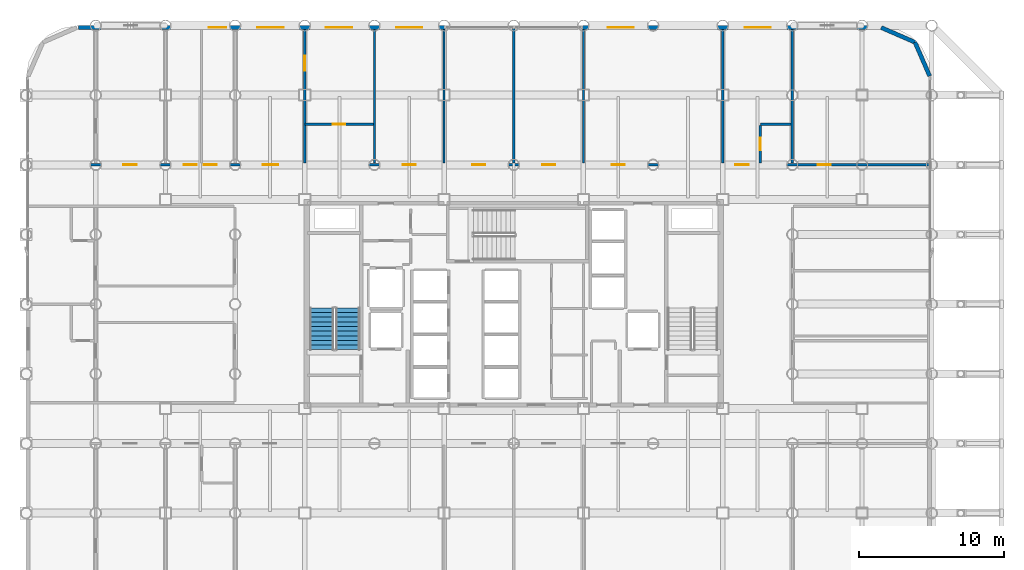
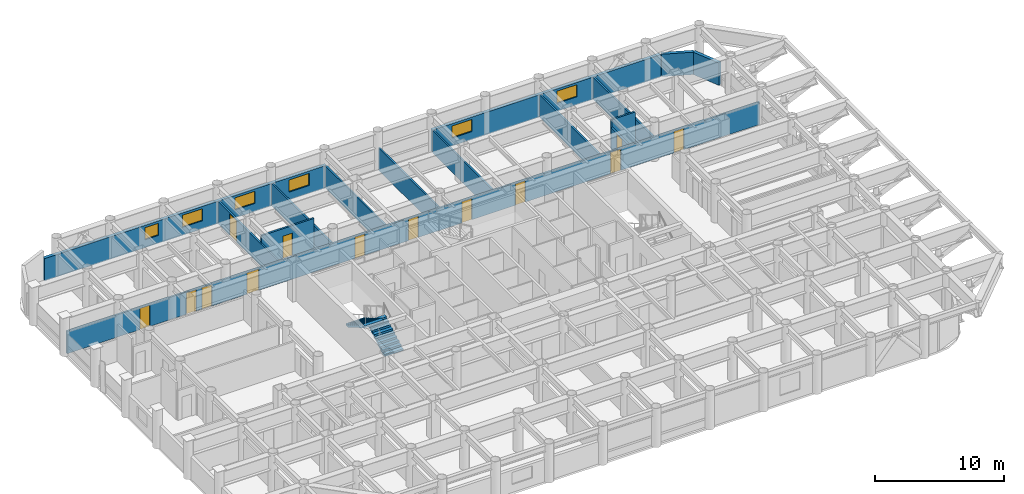
# One storey, part 24 of 26: 15 walls, 13 doors, 6 windows, 2 stair flights, 19 openings, 1 element without a shape of its own.
"""IFC4 building model written with IfcOpenShell, lengths in metres."""

from ifc_helpers import new_model, si_unit, direction, frame, frame_2d, origin, place, context, subcontext, project, spatial, polyline, rectangle, outline, extrude, material, layer, layer_set, type_object, element, fill, aggregate, save


model = new_model("IFC4")

# Units and contexts
model_context = context("Model", 3, precision=1e-05, world=origin(), true_north=direction((0.0, 1.0)))
body_context = subcontext(model_context, "Body", "Model", "MODEL_VIEW")
ifc_project = project(units=[si_unit("LENGTHUNIT", "METRE"), si_unit("AREAUNIT", "SQUARE_METRE"), si_unit("VOLUMEUNIT", "CUBIC_METRE"), si_unit("PLANEANGLEUNIT", "RADIAN"), si_unit("MASSUNIT", "GRAM", prefix="KILO")], contexts=[model_context])

# Site, building, storey
site_placement = place(None, origin())
site = spatial("IfcSite", under=ifc_project, at=site_placement, CompositionType="ELEMENT")
building_placement = place(site_placement, origin())
building = spatial("IfcBuilding", under=site, at=building_placement, Name="Kallvorn Hotel Tower", CompositionType="ELEMENT")
storey_placement = place(building_placement, frame((0.0, 0.0, 55.89990234375)))
storey = spatial("IfcBuildingStorey", under=building, at=storey_placement, Name="L12", CompositionType="ELEMENT", Elevation=55.89990234375)

# Wall, openings, doors
ifc_material_1 = material(Name="Fire-rated double-layer acoustic gypsum drywall EI 60")
ifc_layer_1 = layer(ifc_material_1, 0.159912109375)
ifc_layer_set_1 = layer_set([ifc_layer_1], Name="WL_DEMISE_160")
wall_type_1 = type_object("IfcWallType", Name="WL_DEMISE_160", PredefinedType="PARTITIONING", material=ifc_layer_set_1)
wall_1_placement = place(storey_placement, frame((-33.429931640625, 9.60009765625, 0.0), z_axis=(0.0, 0.0, 1.0), x_axis=(1.0, 0.0, 0.0)))
wall_1 = element("IfcWall", 1, at=wall_1_placement, inside=storey, type_object=wall_type_1, Name="L12 Suite 1204 Junior Living Salon Partition", PredefinedType="PARTITIONING", context=body_context, shape_type="SweptSolid", body=[
    extrude(rectangle(XDim=62.059814453125, YDim=0.159912109375, at=frame_2d((31.02978515625, 0.0))), origin(), (0.0, 0.0, 1.0), 2.1201171875),
])
opening_1_placement = place(wall_1_placement, frame((6.5400390625, 0.0, 0.0)))
opening_1 = element("IfcOpeningElement", 2, at=opening_1_placement, cuts=wall_1, Name="Opening SVD1A", PredefinedType="OPENING", context=body_context, shape_type="SweptSolid", body=[
    extrude(rectangle(XDim=0.89990234375, YDim=2.02001953125, at=frame_2d((0.449951171875, 1.010009765625))), frame((0.0, 0.094970703125, 0.0), z_axis=(0.0, -1.0, 0.0), x_axis=(1.0, 0.0, 0.0)), (0.0, 0.0, 1.0), 0.18994140625),
])
opening_2_placement = place(wall_1_placement, frame((54.360595703125, 0.0, 0.0)))
opening_2 = element("IfcOpeningElement", 3, at=opening_2_placement, cuts=wall_1, Name="Opening SVD1A", PredefinedType="OPENING", context=body_context, shape_type="SweptSolid", body=[
    extrude(rectangle(XDim=0.89990234375, YDim=2.02001953125, at=frame_2d((0.449951171875, 1.010009765625))), frame((0.0, 0.094970703125, 0.0), z_axis=(0.0, -1.0, 0.0), x_axis=(1.0, 0.0, 0.0)), (0.0, 0.0, 1.0), 0.18994140625),
])
opening_3_placement = place(wall_1_placement, frame((10.68994140625, 0.0, 0.0)))
opening_3 = element("IfcOpeningElement", 4, at=opening_3_placement, cuts=wall_1, Name="Opening SVD1A", PredefinedType="OPENING", context=body_context, shape_type="SweptSolid", body=[
    extrude(rectangle(XDim=0.89990234375, YDim=2.02001953125, at=frame_2d((0.449951171875, 1.010009765625))), frame((0.0, 0.094970703125, 0.0), z_axis=(0.0, -1.0, 0.0), x_axis=(1.0, 0.0, 0.0)), (0.0, 0.0, 1.0), 0.18994140625),
])
opening_4_placement = place(wall_1_placement, frame((12.070068359375, 0.0, 0.0)))
opening_4 = element("IfcOpeningElement", 5, at=opening_4_placement, cuts=wall_1, Name="Opening SVD1A", PredefinedType="OPENING", context=body_context, shape_type="SweptSolid", body=[
    extrude(rectangle(XDim=0.89990234375, YDim=2.02001953125, at=frame_2d((0.449951171875, 1.010009765625))), frame((0.0, 0.094970703125, 0.0), z_axis=(0.0, -1.0, 0.0), x_axis=(1.0, 0.0, 0.0)), (0.0, 0.0, 1.0), 0.18994140625),
])
opening_5_placement = place(wall_1_placement, frame((16.14501953125, 0.0, 0.0)))
opening_5 = element("IfcOpeningElement", 6, at=opening_5_placement, cuts=wall_1, Name="Opening GD2A", PredefinedType="OPENING", context=body_context, shape_type="SweptSolid", body=[
    extrude(rectangle(XDim=1.050048828125, YDim=2.02001953125, at=frame_2d((0.52490234375, 1.010009765625))), frame((0.0, 0.094970703125, 0.0), z_axis=(0.0, -1.0, 0.0), x_axis=(1.0, 0.0, 0.0)), (0.0, 0.0, 1.0), 0.18994140625),
])
opening_6_placement = place(wall_1_placement, frame((25.780029296875, 0.0, 0.0)))
opening_6 = element("IfcOpeningElement", 7, at=opening_6_placement, cuts=wall_1, Name="Opening SVD1A", PredefinedType="OPENING", context=body_context, shape_type="SweptSolid", body=[
    extrude(rectangle(XDim=0.89990234375, YDim=2.02001953125, at=frame_2d((0.449951171875, 1.010009765625))), frame((0.0, 0.094970703125, 0.0), z_axis=(0.0, -1.0, 0.0), x_axis=(1.0, 0.0, 0.0)), (0.0, 0.0, 1.0), 0.18994140625),
])
opening_7_placement = place(wall_1_placement, frame((30.580078125, 0.0, 0.0)))
opening_7 = element("IfcOpeningElement", 8, at=opening_7_placement, cuts=wall_1, Name="Opening SVD1A", PredefinedType="OPENING", context=body_context, shape_type="SweptSolid", body=[
    extrude(rectangle(XDim=0.89990234375, YDim=2.02001953125, at=frame_2d((0.449951171875, 1.010009765625))), frame((0.0, 0.094970703125, 0.0), z_axis=(0.0, -1.0, 0.0), x_axis=(1.0, 0.0, 0.0)), (0.0, 0.0, 1.0), 0.18994140625),
])
opening_8_placement = place(wall_1_placement, frame((35.3798828125, 0.0, 0.0)))
opening_8 = element("IfcOpeningElement", 9, at=opening_8_placement, cuts=wall_1, Name="Opening SVD1A", PredefinedType="OPENING", context=body_context, shape_type="SweptSolid", body=[
    extrude(rectangle(XDim=0.89990234375, YDim=2.02001953125, at=frame_2d((0.449951171875, 1.010009765625))), frame((0.0, 0.094970703125, 0.0), z_axis=(0.0, -1.0, 0.0), x_axis=(1.0, 0.0, 0.0)), (0.0, 0.0, 1.0), 0.18994140625),
])
opening_9_placement = place(wall_1_placement, frame((40.179931640625, 0.0, 0.0)))
opening_9 = element("IfcOpeningElement", 10, at=opening_9_placement, cuts=wall_1, Name="Opening SVD1A", PredefinedType="OPENING", context=body_context, shape_type="SweptSolid", body=[
    extrude(rectangle(XDim=0.89990234375, YDim=2.02001953125, at=frame_2d((0.449951171875, 1.010009765625))), frame((0.0, 0.094970703125, 0.0), z_axis=(0.0, -1.0, 0.0), x_axis=(1.0, 0.0, 0.0)), (0.0, 0.0, 1.0), 0.18994140625),
])
opening_10_placement = place(wall_1_placement, frame((48.705078125, 0.0, 0.0)))
opening_10 = element("IfcOpeningElement", 11, at=opening_10_placement, cuts=wall_1, Name="Opening GD1A", PredefinedType="OPENING", context=body_context, shape_type="SweptSolid", body=[
    extrude(rectangle(XDim=0.919921875, YDim=2.02001953125, at=frame_2d((0.4599609375, 1.010009765625))), frame((0.0, 0.094970703125, 0.0), z_axis=(0.0, -1.0, 0.0), x_axis=(1.0, 0.0, 0.0)), (0.0, 0.0, 1.0), 0.18994140625),
])
ifc_material_2 = material(Name="Solid-core walnut veneer fire-rated timber door leaf", Category="wood")
door_type_1 = type_object("IfcDoorType", Name="DR_GUEST_920x2020", OperationType="NOTDEFINED", PredefinedType="DOOR", material=ifc_material_2)
door_1_placement = place(opening_10_placement, origin())
door_1 = element("IfcDoor", 12, at=door_1_placement, inside=storey, type_object=door_type_1, Name="L12 Suite 1205 Standard Twin Room Door", OperationType="SINGLE_SWING_LEFT", OverallHeight=2.02001953125, OverallWidth=0.919921875, PredefinedType="DOOR", context=body_context, shape_type="SweptSolid", body=[
    extrude(rectangle(XDim=0.919921875, YDim=2.02001953125, at=frame_2d((0.4599609375, 1.010009765625))), frame((0.0, 0.02490234375, 0.0), z_axis=(0.0, -1.0, 0.0), x_axis=(1.0, 0.0, 0.0)), (0.0, 0.0, 1.0), 0.050048828125),
])
fill(opening_10, door_1)
ifc_material_3 = material(Name="Galvanised painted steel fire-rated door assembly", Category="steel")
door_type_2 = type_object("IfcDoorType", Name="DR_SERV_900x2020", OperationType="NOTDEFINED", PredefinedType="DOOR", material=ifc_material_3)
door_2_placement = place(opening_1_placement, origin())
door_2 = element("IfcDoor", 13, at=door_2_placement, inside=storey, type_object=door_type_2, Name="L12 L12 North-West Fitness Gymnasium B Door", OperationType="SINGLE_SWING_RIGHT", OverallHeight=2.02001953125, OverallWidth=0.89990234375, PredefinedType="DOOR", context=body_context, shape_type="SweptSolid", body=[
    extrude(rectangle(XDim=0.89990234375, YDim=2.02001953125, at=frame_2d((0.449951171875, 1.010009765625))), frame((0.0, 0.02490234375, 0.0), z_axis=(0.0, -1.0, 0.0), x_axis=(1.0, 0.0, 0.0)), (0.0, 0.0, 1.0), 0.050048828125),
])
fill(opening_1, door_2)
door_3_placement = place(opening_2_placement, origin())
door_3 = element("IfcDoor", 14, at=door_3_placement, inside=storey, type_object=door_type_2, Name="L12 L12 North-East Reading Club Door", OperationType="SINGLE_SWING_LEFT", OverallHeight=2.02001953125, OverallWidth=0.89990234375, PredefinedType="DOOR", context=body_context, shape_type="SweptSolid", body=[
    extrude(rectangle(XDim=0.89990234375, YDim=2.02001953125, at=frame_2d((0.449951171875, 1.010009765625))), frame((0.0, 0.02490234375, 0.0), z_axis=(0.0, -1.0, 0.0), x_axis=(1.0, 0.0, 0.0)), (0.0, 0.0, 1.0), 0.050048828125),
])
fill(opening_2, door_3)
door_4_placement = place(opening_3_placement, origin())
door_4 = element("IfcDoor", 15, at=door_4_placement, inside=storey, type_object=door_type_2, Name="L12 Housekeeping and Linen Room Door", OperationType="SINGLE_SWING_LEFT", OverallHeight=2.02001953125, OverallWidth=0.89990234375, PredefinedType="DOOR", context=body_context, shape_type="SweptSolid", body=[
    extrude(rectangle(XDim=0.89990234375, YDim=2.02001953125, at=frame_2d((0.449951171875, 1.010009765625))), frame((0.0, 0.02490234375, 0.0), z_axis=(0.0, -1.0, 0.0), x_axis=(1.0, 0.0, 0.0)), (0.0, 0.0, 1.0), 0.050048828125),
])
fill(opening_3, door_4)
door_5_placement = place(opening_4_placement, origin())
door_5 = element("IfcDoor", 16, at=door_5_placement, inside=storey, type_object=door_type_2, Name="L12 Guest Tea and Refreshment Bar Door", OperationType="SINGLE_SWING_LEFT", OverallHeight=2.02001953125, OverallWidth=0.89990234375, PredefinedType="DOOR", context=body_context, shape_type="SweptSolid", body=[
    extrude(rectangle(XDim=0.89990234375, YDim=2.02001953125, at=frame_2d((0.449951171875, 1.010009765625))), frame((0.0, 0.02490234375, 0.0), z_axis=(0.0, -1.0, 0.0), x_axis=(1.0, 0.0, 0.0)), (0.0, 0.0, 1.0), 0.050048828125),
])
fill(opening_4, door_5)
door_6_placement = place(opening_6_placement, origin())
door_6 = element("IfcDoor", 17, at=door_6_placement, inside=storey, type_object=door_type_2, Name="L12 L12 Thermal Hydrotherapy Treatment Suite 3-1 Door", OperationType="SINGLE_SWING_LEFT", OverallHeight=2.02001953125, OverallWidth=0.89990234375, PredefinedType="DOOR", context=body_context, shape_type="SweptSolid", body=[
    extrude(rectangle(XDim=0.89990234375, YDim=2.02001953125, at=frame_2d((0.449951171875, 1.010009765625))), frame((0.0, 0.02490234375, 0.0), z_axis=(0.0, -1.0, 0.0), x_axis=(1.0, 0.0, 0.0)), (0.0, 0.0, 1.0), 0.050048828125),
])
fill(opening_6, door_6)
door_7_placement = place(opening_7_placement, origin())
door_7 = element("IfcDoor", 18, at=door_7_placement, inside=storey, type_object=door_type_2, Name="L12 L12 Thermal Hydrotherapy Treatment Suite 3-2 Door", OperationType="SINGLE_SWING_RIGHT", OverallHeight=2.02001953125, OverallWidth=0.89990234375, PredefinedType="DOOR", context=body_context, shape_type="SweptSolid", body=[
    extrude(rectangle(XDim=0.89990234375, YDim=2.02001953125, at=frame_2d((0.449951171875, 1.010009765625))), frame((0.0, 0.02490234375, 0.0), z_axis=(0.0, -1.0, 0.0), x_axis=(1.0, 0.0, 0.0)), (0.0, 0.0, 1.0), 0.050048828125),
])
fill(opening_7, door_7)
door_8_placement = place(opening_8_placement, origin())
door_8 = element("IfcDoor", 19, at=door_8_placement, inside=storey, type_object=door_type_2, Name="L12 L12 Thermal Hydrotherapy Treatment Suite 3-3 Door", OperationType="SINGLE_SWING_LEFT", OverallHeight=2.02001953125, OverallWidth=0.89990234375, PredefinedType="DOOR", context=body_context, shape_type="SweptSolid", body=[
    extrude(rectangle(XDim=0.89990234375, YDim=2.02001953125, at=frame_2d((0.449951171875, 1.010009765625))), frame((0.0, 0.02490234375, 0.0), z_axis=(0.0, -1.0, 0.0), x_axis=(1.0, 0.0, 0.0)), (0.0, 0.0, 1.0), 0.050048828125),
])
fill(opening_8, door_8)
door_9_placement = place(opening_9_placement, origin())
door_9 = element("IfcDoor", 20, at=door_9_placement, inside=storey, type_object=door_type_2, Name="L12 L12 Haute Couture Design Retail Shop 4 Door", OperationType="SINGLE_SWING_LEFT", OverallHeight=2.02001953125, OverallWidth=0.89990234375, PredefinedType="DOOR", context=body_context, shape_type="SweptSolid", body=[
    extrude(rectangle(XDim=0.89990234375, YDim=2.02001953125, at=frame_2d((0.449951171875, 1.010009765625))), frame((0.0, 0.02490234375, 0.0), z_axis=(0.0, -1.0, 0.0), x_axis=(1.0, 0.0, 0.0)), (0.0, 0.0, 1.0), 0.050048828125),
])
fill(opening_9, door_9)
ifc_material_4 = material(Name="Solid-core walnut veneer fire-rated timber door leaf", Category="wood")
door_type_3 = type_object("IfcDoorType", Name="DR_SUITE_1050x2020", OperationType="NOTDEFINED", PredefinedType="DOOR", material=ifc_material_4)
door_10_placement = place(opening_5_placement, origin())
door_10 = element("IfcDoor", 21, at=door_10_placement, inside=storey, type_object=door_type_3, Name="L12 Suite 1204 Junior Living Salon Door", OperationType="SINGLE_SWING_LEFT", OverallHeight=2.02001953125, OverallWidth=1.050048828125, PredefinedType="DOOR", context=body_context, shape_type="SweptSolid", body=[
    extrude(rectangle(XDim=1.050048828125, YDim=2.02001953125, at=frame_2d((0.52490234375, 1.010009765625))), frame((0.0, 0.02490234375, 0.0), z_axis=(0.0, -1.0, 0.0), x_axis=(1.0, 0.0, 0.0)), (0.0, 0.0, 1.0), 0.050048828125),
])
fill(opening_5, door_10)

# Wall, opening, door
wall_2_placement = place(storey_placement, frame((-14.39990234375, 12.39501953125, 0.0), z_axis=(0.0, 0.0, 1.0), x_axis=(1.0, 0.0, 0.0)))
wall_2 = element("IfcWall", 22, at=wall_2_placement, inside=storey, type_object=wall_type_1, Name="L12 Suite 1204 Junior Bedroom Partition", PredefinedType="PARTITIONING", context=body_context, shape_type="SweptSolid", body=[
    extrude(rectangle(XDim=4.719970703125, YDim=0.159912109375, at=frame_2d((2.35986328125, 0.0))), origin(), (0.0, 0.0, 1.0), 2.820068359375),
])
opening_11_placement = place(wall_2_placement, frame((1.929931640625, 0.0, 0.0)))
opening_11 = element("IfcOpeningElement", 23, at=opening_11_placement, cuts=wall_2, Name="Opening BD-I", PredefinedType="OPENING", context=body_context, shape_type="SweptSolid", body=[
    extrude(rectangle(XDim=0.860107421875, YDim=2.10009765625, at=frame_2d((0.43017578125, 1.050048828125))), frame((0.0, 0.094970703125, 0.0), z_axis=(0.0, -1.0, 0.0), x_axis=(1.0, 0.0, 0.0)), (0.0, 0.0, 1.0), 0.18994140625),
])
ifc_material_5 = material(Name="Solid-core walnut veneer fire-rated timber door leaf", Category="wood")
door_type_4 = type_object("IfcDoorType", Name="DR_BATH_860x2100", OperationType="NOTDEFINED", PredefinedType="DOOR", material=ifc_material_5)
door_11_placement = place(opening_11_placement, origin())
door_11 = element("IfcDoor", 24, at=door_11_placement, inside=storey, type_object=door_type_4, Name="L12 Suite 1204 En-Suite Bathroom Door", OperationType="SINGLE_SWING_RIGHT", OverallHeight=2.10009765625, OverallWidth=0.860107421875, PredefinedType="DOOR", context=body_context, shape_type="SweptSolid", body=[
    extrude(rectangle(XDim=0.860107421875, YDim=2.10009765625, at=frame_2d((0.43017578125, 1.050048828125))), frame((0.0, 0.02490234375, 0.0), z_axis=(0.0, -1.0, 0.0), x_axis=(1.0, 0.0, 0.0)), (0.0, 0.0, 1.0), 0.050048828125),
])
fill(opening_11, door_11)

# Wall
wall_3_placement = place(storey_placement, frame((16.989990234375, 12.39501953125, 0.0), z_axis=(0.0, 0.0, 1.0), x_axis=(1.0, 0.0, 0.0)))
element("IfcWall", 25, at=wall_3_placement, inside=storey, type_object=wall_type_1, Name="L12 Suite 1205 Standard Twin Room Partition", PredefinedType="PARTITIONING", context=body_context, shape_type="SweptSolid", body=[
    extrude(rectangle(XDim=2.130126953125, YDim=0.159912109375, at=frame_2d((1.06494140625, 0.0))), origin(), (0.0, 0.0, 1.0), 2.820068359375),
])

# Wall, opening, door
wall_4_placement = place(storey_placement, frame((-14.39990234375, 9.719970703125, 0.0), z_axis=(0.0, 0.0, 1.0), x_axis=(0.0, 1.0, 0.0)))
wall_4 = element("IfcWall", 26, at=wall_4_placement, inside=storey, type_object=wall_type_1, Name="L12 Suite 1204 Junior Living Salon Partition", PredefinedType="PARTITIONING", context=body_context, shape_type="SweptSolid", body=[
    extrude(rectangle(XDim=9.18994140625, YDim=0.159912109375, at=frame_2d((4.594970703125, 0.0))), origin(), (0.0, 0.0, 1.0), 2.1201171875),
])
opening_12_placement = place(wall_4_placement, frame((6.346923828125, 0.0, 0.0)))
opening_12 = element("IfcOpeningElement", 27, at=opening_12_placement, cuts=wall_4, Name="Opening GD2A", PredefinedType="OPENING", context=body_context, shape_type="SweptSolid", body=[
    extrude(rectangle(XDim=1.050048828125, YDim=2.02001953125, at=frame_2d((0.52490234375, 1.010009765625))), frame((0.0, 0.094970703125, 0.0), z_axis=(0.0, -1.0, 0.0), x_axis=(1.0, 0.0, 0.0)), (0.0, 0.0, 1.0), 0.18994140625),
])
door_12_placement = place(opening_12_placement, origin())
door_12 = element("IfcDoor", 28, at=door_12_placement, inside=storey, type_object=door_type_3, Name="L12 Suite 1204 Junior Bedroom Door", OperationType="SINGLE_SWING_LEFT", OverallHeight=2.02001953125, OverallWidth=1.050048828125, PredefinedType="DOOR", context=body_context, shape_type="SweptSolid", body=[
    extrude(rectangle(XDim=1.050048828125, YDim=2.02001953125, at=frame_2d((0.52490234375, 1.010009765625))), frame((0.0, 0.02490234375, 0.0), z_axis=(0.0, -1.0, 0.0), x_axis=(1.0, 0.0, 0.0)), (0.0, 0.0, 1.0), 0.050048828125),
])
fill(opening_12, door_12)

# Walls
for number, where, z_axis, x_axis, name in (
    (29, (-9.60009765625, 9.719970703125, 0.0), (0.0, 0.0, 1.0), (0.0, 1.0, 0.0), "L12 Suite 1204 Junior Bedroom Partition"),
    (30, (14.39990234375, 9.719970703125, 0.0), (0.0, 0.0, 1.0), (0.0, 1.0, 0.0), "L12 Suite 1205 Standard Twin Room Partition"),
):
    element("IfcWall", number, at=place(storey_placement, frame(where, z_axis=z_axis, x_axis=x_axis)), inside=storey, type_object=wall_type_1, Name=name, PredefinedType="PARTITIONING", context=body_context, shape_type="SweptSolid", body=[
        extrude(rectangle(XDim=9.18994140625, YDim=0.159912109375, at=frame_2d((4.594970703125, 0.0))), origin(), (0.0, 0.0, 1.0), 2.1201171875),
    ])

# Wall, opening, door
wall_5_placement = place(storey_placement, frame((16.989990234375, 9.719970703125, 0.0), z_axis=(0.0, 0.0, 1.0), x_axis=(0.0, 1.0, 0.0)))
wall_5 = element("IfcWall", 31, at=wall_5_placement, inside=storey, type_object=wall_type_1, Name="L12 Suite 1205 Standard Twin Room Partition", PredefinedType="PARTITIONING", context=body_context, shape_type="SweptSolid", body=[
    extrude(rectangle(XDim=2.590087890625, YDim=0.159912109375, at=frame_2d((1.294921875, 0.0))), origin(), (0.0, 0.0, 1.0), 2.1201171875),
])
opening_13_placement = place(wall_5_placement, frame((0.8701171875, 0.0, 0.0)))
opening_13 = element("IfcOpeningElement", 32, at=opening_13_placement, cuts=wall_5, Name="Opening BD-IA", PredefinedType="OPENING", context=body_context, shape_type="SweptSolid", body=[
    extrude(rectangle(XDim=0.860107421875, YDim=2.02001953125, at=frame_2d((0.43017578125, 1.010009765625))), frame((0.0, 0.094970703125, 0.0), z_axis=(0.0, -1.0, 0.0), x_axis=(1.0, 0.0, 0.0)), (0.0, 0.0, 1.0), 0.18994140625),
])
ifc_material_6 = material(Name="Solid-core walnut veneer fire-rated timber door leaf", Category="wood")
door_type_5 = type_object("IfcDoorType", Name="DR_BATH_860x2020", OperationType="NOTDEFINED", PredefinedType="DOOR", material=ifc_material_6)
door_13_placement = place(opening_13_placement, origin())
door_13 = element("IfcDoor", 33, at=door_13_placement, inside=storey, type_object=door_type_5, Name="L12 Suite 1205 En-Suite Bathroom Door", OperationType="SINGLE_SWING_LEFT", OverallHeight=2.02001953125, OverallWidth=0.860107421875, PredefinedType="DOOR", context=body_context, shape_type="SweptSolid", body=[
    extrude(rectangle(XDim=0.860107421875, YDim=2.02001953125, at=frame_2d((0.43017578125, 1.010009765625))), frame((0.0, 0.02490234375, 0.0), z_axis=(0.0, -1.0, 0.0), x_axis=(1.0, 0.0, 0.0)), (0.0, 0.0, 1.0), 0.050048828125),
])
fill(opening_13, door_13)

# Walls
wall_6_placement = place(storey_placement, frame((19.199951171875, 9.719970703125, 0.0), z_axis=(0.0, 0.0, 1.0), x_axis=(0.0, 1.0, 0.0)))
element("IfcWall", 34, at=wall_6_placement, inside=storey, type_object=wall_type_1, Name="L12 Suite 1205 Standard Twin Room Partition", PredefinedType="PARTITIONING", context=body_context, shape_type="SweptSolid", body=[
    extrude(rectangle(XDim=9.18994140625, YDim=0.159912109375, at=frame_2d((4.594970703125, 0.0))), origin(), (0.0, 0.0, 1.0), 2.1201171875),
])
ifc_material_7 = material(Name="Precast basalt-clad insulated concrete wall C40/50", Category="masonry")
ifc_layer_2 = layer(ifc_material_7, 0.280029296875)
ifc_layer_set_2 = layer_set([ifc_layer_2], Name="WL_EXT_LOGGIA_280")
wall_type_2 = type_object("IfcWallType", Name="WL_EXT_LOGGIA_280", PredefinedType="SOLIDWALL", material=ifc_layer_set_2)
wall_7_placement = place(storey_placement, frame((28.657958984375, 15.720703125, 0.0), z_axis=(0.0, 0.0, 1.0), x_axis=(-0.398792985289, 0.917040977756, 0.0)))
element("IfcWall", 35, at=wall_7_placement, inside=storey, type_object=wall_type_2, Name="L12 Rounded Corner Exterior Wall NE1", PredefinedType="SOLIDWALL", context=body_context, shape_type="SweptSolid", body=[
    extrude(rectangle(XDim=2.536376953125, YDim=0.280029296875, at=frame_2d((1.26806640625, 0.0))), origin(), (0.0, 0.0, 1.0), 2.1201171875),
])
wall_8_placement = place(storey_placement, frame((27.646484375, 18.046630859375, 0.0), z_axis=(0.0, 0.0, 1.0), x_axis=(-0.917060872934, 0.398747232384, 0.0)))
element("IfcWall", 36, at=wall_8_placement, inside=storey, type_object=wall_type_2, Name="L12 Rounded Corner Exterior Wall NE2", PredefinedType="SOLIDWALL", context=body_context, shape_type="SweptSolid", body=[
    extrude(rectangle(XDim=2.5361328125, YDim=0.280029296875, at=frame_2d((1.26806640625, 0.0))), origin(), (0.0, 0.0, 1.0), 2.1201171875),
])

# Wall, openings, windows
wall_9_placement = place(storey_placement, frame((-30.0, 19.06005859375, 0.0), z_axis=(0.0, 0.0, 1.0), x_axis=(1.0, 0.0, 0.0)))
wall_9 = element("IfcWall", 37, at=wall_9_placement, inside=storey, type_object=wall_type_2, Name="L12 Exterior Envelope Wall EW-L12-NW", PredefinedType="SOLIDWALL", context=body_context, shape_type="SweptSolid", body=[
    extrude(rectangle(XDim=25.25, YDim=0.280029296875, at=frame_2d((12.625, 0.0))), origin(), (0.0, 0.0, 1.0), 2.1201171875),
])
opening_14_placement = place(wall_9_placement, frame((9.0, 0.0, 0.75)))
opening_14 = element("IfcOpeningElement", 38, at=opening_14_placement, cuts=wall_9, Name="Opening W06A", PredefinedType="OPENING", context=body_context, shape_type="SweptSolid", body=[
    extrude(rectangle(XDim=1.199951171875, YDim=1.14990234375, at=frame_2d((0.60009765625, 0.574951171875))), frame((0.0, 0.155029296875, 0.0), z_axis=(0.0, -1.0, 0.0), x_axis=(1.0, 0.0, 0.0)), (0.0, 0.0, 1.0), 0.31005859375),
])
opening_15_placement = place(wall_9_placement, frame((12.340087890625, 0.0, 0.75)))
opening_15 = element("IfcOpeningElement", 39, at=opening_15_placement, cuts=wall_9, Name="Opening W04A", PredefinedType="OPENING", context=body_context, shape_type="SweptSolid", body=[
    extrude(rectangle(XDim=1.800048828125, YDim=1.14990234375, at=frame_2d((0.89990234375, 0.574951171875))), frame((0.0, 0.155029296875, 0.0), z_axis=(0.0, -1.0, 0.0), x_axis=(1.0, 0.0, 0.0)), (0.0, 0.0, 1.0), 0.31005859375),
])
opening_16_placement = place(wall_9_placement, frame((17.06005859375, 0.0, 0.75)))
opening_16 = element("IfcOpeningElement", 40, at=opening_16_placement, cuts=wall_9, Name="Opening W04A", PredefinedType="OPENING", context=body_context, shape_type="SweptSolid", body=[
    extrude(rectangle(XDim=1.800048828125, YDim=1.14990234375, at=frame_2d((0.89990234375, 0.574951171875))), frame((0.0, 0.155029296875, 0.0), z_axis=(0.0, -1.0, 0.0), x_axis=(1.0, 0.0, 0.0)), (0.0, 0.0, 1.0), 0.31005859375),
])
opening_17_placement = place(wall_9_placement, frame((21.89990234375, 0.0, 0.75)))
opening_17 = element("IfcOpeningElement", 41, at=opening_17_placement, cuts=wall_9, Name="Opening W04A", PredefinedType="OPENING", context=body_context, shape_type="SweptSolid", body=[
    extrude(rectangle(XDim=1.800048828125, YDim=1.14990234375, at=frame_2d((0.89990234375, 0.574951171875))), frame((0.0, 0.155029296875, 0.0), z_axis=(0.0, -1.0, 0.0), x_axis=(1.0, 0.0, 0.0)), (0.0, 0.0, 1.0), 0.31005859375),
])
ifc_material_8 = material(Name="Triple-glazed low-e acoustic solar-control dark glass", Category="glass")
window_type_1 = type_object("IfcWindowType", Name="WN_HTL_1200x1150", PartitioningType="SINGLE_PANEL", PredefinedType="WINDOW", material=ifc_material_8)
window_1_placement = place(opening_14_placement, origin())
window_1 = element("IfcWindow", 42, at=window_1_placement, inside=storey, type_object=window_type_1, Name="L12 Guestroom Exterior Window 05", OverallHeight=1.14990234375, OverallWidth=1.199951171875, PartitioningType="SINGLE_PANEL", PredefinedType="WINDOW", context=body_context, shape_type="SweptSolid", body=[
    extrude(rectangle(XDim=1.199951171875, YDim=1.14990234375, at=frame_2d((0.60009765625, 0.574951171875))), frame((0.0, 0.030029296875, 0.0), z_axis=(0.0, -1.0, 0.0), x_axis=(1.0, 0.0, 0.0)), (0.0, 0.0, 1.0), 0.06005859375),
])
fill(opening_14, window_1)
ifc_material_9 = material(Name="Double-glazed low-e solar-control dark glass", Category="glass")
window_type_2 = type_object("IfcWindowType", Name="WN_HTL_1800x1150", PartitioningType="SINGLE_PANEL", PredefinedType="WINDOW", material=ifc_material_9)
window_2_placement = place(opening_15_placement, origin())
window_2 = element("IfcWindow", 43, at=window_2_placement, inside=storey, type_object=window_type_2, Name="L12 Guestroom Exterior Window 06", OverallHeight=1.14990234375, OverallWidth=1.800048828125, PartitioningType="SINGLE_PANEL", PredefinedType="WINDOW", context=body_context, shape_type="SweptSolid", body=[
    extrude(rectangle(XDim=1.800048828125, YDim=1.14990234375, at=frame_2d((0.89990234375, 0.574951171875))), frame((0.0, 0.030029296875, 0.0), z_axis=(0.0, -1.0, 0.0), x_axis=(1.0, 0.0, 0.0)), (0.0, 0.0, 1.0), 0.06005859375),
])
fill(opening_15, window_2)
window_3_placement = place(opening_16_placement, origin())
window_3 = element("IfcWindow", 44, at=window_3_placement, inside=storey, type_object=window_type_2, Name="L12 Guestroom Exterior Window 07", OverallHeight=1.14990234375, OverallWidth=1.800048828125, PartitioningType="SINGLE_PANEL", PredefinedType="WINDOW", context=body_context, shape_type="SweptSolid", body=[
    extrude(rectangle(XDim=1.800048828125, YDim=1.14990234375, at=frame_2d((0.89990234375, 0.574951171875))), frame((0.0, 0.030029296875, 0.0), z_axis=(0.0, -1.0, 0.0), x_axis=(1.0, 0.0, 0.0)), (0.0, 0.0, 1.0), 0.06005859375),
])
fill(opening_16, window_3)
window_4_placement = place(opening_17_placement, origin())
window_4 = element("IfcWindow", 45, at=window_4_placement, inside=storey, type_object=window_type_2, Name="L12 Guestroom Exterior Window 08", OverallHeight=1.14990234375, OverallWidth=1.800048828125, PartitioningType="SINGLE_PANEL", PredefinedType="WINDOW", context=body_context, shape_type="SweptSolid", body=[
    extrude(rectangle(XDim=1.800048828125, YDim=1.14990234375, at=frame_2d((0.89990234375, 0.574951171875))), frame((0.0, 0.030029296875, 0.0), z_axis=(0.0, -1.0, 0.0), x_axis=(1.0, 0.0, 0.0)), (0.0, 0.0, 1.0), 0.06005859375),
])
fill(opening_17, window_4)

wall_10_placement = place(storey_placement, frame((4.75, 19.06005859375, 0.0), z_axis=(0.0, 0.0, 1.0), x_axis=(1.0, 0.0, 0.0)))
wall_10 = element("IfcWall", 46, at=wall_10_placement, inside=storey, type_object=wall_type_2, Name="L12 Exterior Envelope Wall EW-L12-NE", PredefinedType="SOLIDWALL", context=body_context, shape_type="SweptSolid", body=[
    extrude(rectangle(XDim=20.449951171875, YDim=0.280029296875, at=frame_2d((10.22509765625, 0.0))), origin(), (0.0, 0.0, 1.0), 2.1201171875),
])
opening_18_placement = place(wall_10_placement, frame((1.72998046875, 0.0, 0.75)))
opening_18 = element("IfcOpeningElement", 47, at=opening_18_placement, cuts=wall_10, Name="Opening W04A", PredefinedType="OPENING", context=body_context, shape_type="SweptSolid", body=[
    extrude(rectangle(XDim=1.800048828125, YDim=1.14990234375, at=frame_2d((0.89990234375, 0.574951171875))), frame((0.0, 0.155029296875, 0.0), z_axis=(0.0, -1.0, 0.0), x_axis=(1.0, 0.0, 0.0)), (0.0, 0.0, 1.0), 0.31005859375),
])
opening_19_placement = place(wall_10_placement, frame((11.14990234375, 0.0, 0.75)))
opening_19 = element("IfcOpeningElement", 48, at=opening_19_placement, cuts=wall_10, Name="Opening W04A", PredefinedType="OPENING", context=body_context, shape_type="SweptSolid", body=[
    extrude(rectangle(XDim=1.800048828125, YDim=1.14990234375, at=frame_2d((0.89990234375, 0.574951171875))), frame((0.0, 0.155029296875, 0.0), z_axis=(0.0, -1.0, 0.0), x_axis=(1.0, 0.0, 0.0)), (0.0, 0.0, 1.0), 0.31005859375),
])
window_5_placement = place(opening_18_placement, origin())
window_5 = element("IfcWindow", 49, at=window_5_placement, inside=storey, type_object=window_type_2, Name="L12 Guestroom Exterior Window 09", OverallHeight=1.14990234375, OverallWidth=1.800048828125, PartitioningType="SINGLE_PANEL", PredefinedType="WINDOW", context=body_context, shape_type="SweptSolid", body=[
    extrude(rectangle(XDim=1.800048828125, YDim=1.14990234375, at=frame_2d((0.89990234375, 0.574951171875))), frame((0.0, 0.030029296875, 0.0), z_axis=(0.0, -1.0, 0.0), x_axis=(1.0, 0.0, 0.0)), (0.0, 0.0, 1.0), 0.06005859375),
])
fill(opening_18, window_5)
window_6_placement = place(opening_19_placement, origin())
window_6 = element("IfcWindow", 50, at=window_6_placement, inside=storey, type_object=window_type_2, Name="L12 Guestroom Exterior Window 10", OverallHeight=1.14990234375, OverallWidth=1.800048828125, PartitioningType="SINGLE_PANEL", PredefinedType="WINDOW", context=body_context, shape_type="SweptSolid", body=[
    extrude(rectangle(XDim=1.800048828125, YDim=1.14990234375, at=frame_2d((0.89990234375, 0.574951171875))), frame((0.0, 0.030029296875, 0.0), z_axis=(0.0, -1.0, 0.0), x_axis=(1.0, 0.0, 0.0)), (0.0, 0.0, 1.0), 0.06005859375),
])
fill(opening_19, window_6)

# Walls
ifc_material_10 = material(Name="Fire-rated double-layer acoustic gypsum drywall EI 60")
ifc_layer_3 = layer(ifc_material_10, 0.14990234375)
ifc_layer_set_3 = layer_set([ifc_layer_3], Name="WL_PART_150")
wall_type_3 = type_object("IfcWallType", Name="WL_PART_150", PredefinedType="PARTITIONING", material=ifc_layer_set_3)
wall_11_placement = place(storey_placement, frame((-4.800048828125, 9.719970703125, 0.0), z_axis=(0.0, 0.0, 1.0), x_axis=(0.0, 1.0, 0.0)))
element("IfcWall", 51, at=wall_11_placement, inside=storey, type_object=wall_type_3, Name="L12 L12 Thermal Hydrotherapy Treatment Suite 3-1 Partition", PredefinedType="PARTITIONING", context=body_context, shape_type="SweptSolid", body=[
    extrude(rectangle(XDim=9.18994140625, YDim=0.14990234375, at=frame_2d((4.594970703125, 0.0))), origin(), (0.0, 0.0, 1.0), 2.1201171875),
])
wall_12_placement = place(storey_placement, frame((0.0, 9.719970703125, 0.0), z_axis=(0.0, 0.0, 1.0), x_axis=(0.0, 1.0, 0.0)))
element("IfcWall", 52, at=wall_12_placement, inside=storey, type_object=wall_type_3, Name="L12 L12 Thermal Hydrotherapy Treatment Suite 3-2 Partition", PredefinedType="PARTITIONING", context=body_context, shape_type="SweptSolid", body=[
    extrude(rectangle(XDim=9.275146484375, YDim=0.14990234375, at=frame_2d((4.6376953125, 0.0))), origin(), (0.0, 0.0, 1.0), 2.1201171875),
])
wall_13_placement = place(storey_placement, frame((4.800048828125, 9.719970703125, 0.0), z_axis=(0.0, 0.0, 1.0), x_axis=(0.0, 1.0, 0.0)))
element("IfcWall", 53, at=wall_13_placement, inside=storey, type_object=wall_type_3, Name="L12 L12 Haute Couture Design Retail Shop 4 Partition", PredefinedType="PARTITIONING", context=body_context, shape_type="SweptSolid", body=[
    extrude(rectangle(XDim=9.18994140625, YDim=0.14990234375, at=frame_2d((4.594970703125, 0.0))), origin(), (0.0, 0.0, 1.0), 2.1201171875),
])

# Stair, stair flights
ifc_material_11 = material(Name="Precast concrete C40/50", Category="concrete")
stair_type = type_object("IfcStairType", Name="STR_CORE_DOGLEG", PredefinedType="HALF_TURN_STAIR", material=ifc_material_11)
stair_placement = place(storey_placement, origin())
stair = element("IfcStair", 54, at=stair_placement, inside=storey, type_object=stair_type, Name="L12 Exit stair ST1", PredefinedType="HALF_TURN_STAIR")
ifc_material_12 = material(Name="Precast concrete C40/50", Category="concrete")
stair_flight_type = type_object("IfcStairFlightType", Name="FLT_CORE_1660", PredefinedType="STRAIGHT", material=ifc_material_12)
stair_flight_1_placement = place(storey_placement, frame((-11.429931640625, -3.139892578125, 0.0), z_axis=(0.0, 0.0, 1.0), x_axis=(0.0, 1.0, 0.0)))
stair_flight_1 = element("IfcStairFlight", 55, at=stair_flight_1_placement, type_object=stair_flight_type, Name="ST1 flight 1", NumberOfRisers=10, NumberOfTreads=9, PredefinedType="STRAIGHT", RiserHeight=0.185, TreadLength=0.32, context=body_context, shape_type="SweptSolid", body=[
    extrude(outline(polyline([(0.0, 0.0), (0.0, 0.18505859375), (0.320068359375, 0.18505859375), (0.320068359375, 0.3701171875), (0.639892578125, 0.3701171875), (0.639892578125, 0.554931640625), (0.9599609375, 0.554931640625), (0.9599609375, 0.739990234375), (1.280029296875, 0.739990234375), (1.280029296875, 0.925048828125), (1.60009765625, 0.925048828125), (1.60009765625, 1.110107421875), (1.919921875, 1.110107421875), (1.919921875, 1.294921875), (2.239990234375, 1.294921875), (2.239990234375, 1.47998046875), (2.56005859375, 1.47998046875), (2.56005859375, 1.6650390625), (2.8798828125, 1.6650390625), (2.8798828125, 1.85009765625), (2.8798828125, 1.491943359375), (0.299560546875, 0.0), (0.0, 0.0)])), frame((0.0, 0.830078125, 0.0), z_axis=(0.0, -1.0, 0.0), x_axis=(1.0, 0.0, 0.0)), (0.0, 0.0, 1.0), 1.659912109375),
])
stair_flight_2_placement = place(storey_placement, frame((-13.22998046875, -0.260009765625, 1.85009765625), z_axis=(0.0, 0.0, 1.0), x_axis=(0.0, -1.0, 0.0)))
stair_flight_2 = element("IfcStairFlight", 56, at=stair_flight_2_placement, type_object=stair_flight_type, Name="ST1 flight 2", NumberOfRisers=10, NumberOfTreads=9, PredefinedType="STRAIGHT", RiserHeight=0.185, TreadLength=0.32, context=body_context, shape_type="SweptSolid", body=[
    extrude(outline(polyline([(0.0, 0.0), (0.0, 0.18505859375), (0.320068359375, 0.18505859375), (0.320068359375, 0.3701171875), (0.639892578125, 0.3701171875), (0.639892578125, 0.554931640625), (0.9599609375, 0.554931640625), (0.9599609375, 0.739990234375), (1.280029296875, 0.739990234375), (1.280029296875, 0.925048828125), (1.60009765625, 0.925048828125), (1.60009765625, 1.110107421875), (1.919921875, 1.110107421875), (1.919921875, 1.294921875), (2.239990234375, 1.294921875), (2.239990234375, 1.47998046875), (2.56005859375, 1.47998046875), (2.56005859375, 1.6650390625), (2.8798828125, 1.6650390625), (2.8798828125, 1.85009765625), (2.8798828125, 1.491943359375), (0.299560546875, 0.0), (0.0, 0.0)])), frame((0.0, 0.830078125, 0.0), z_axis=(0.0, -1.0, 0.0), x_axis=(1.0, 0.0, 0.0)), (0.0, 0.0, 1.0), 1.659912109375),
])
aggregate(stair, [stair_flight_1, stair_flight_2])

save(model, "model.ifc")
